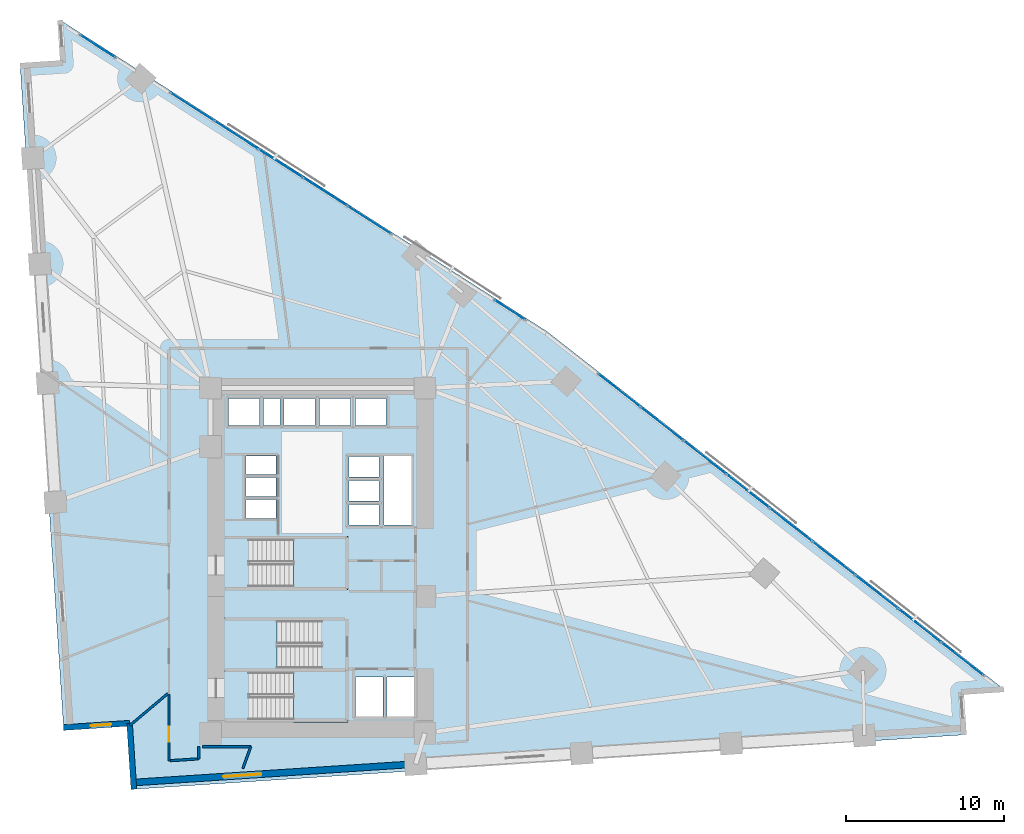
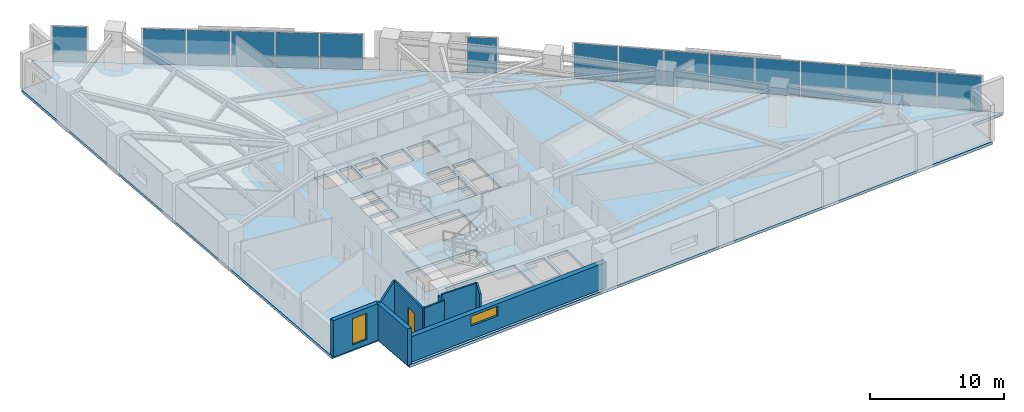
# One storey, part 11 of 16: 16 plates, 9 walls, 4 slabs, 2 windows, 1 door, 3 openings, 7 elements without a shape of their own.
"""IFC4 building model written with IfcOpenShell, lengths in metres."""

from ifc_helpers import new_model, si_unit, direction, frame, frame_2d, origin, origin_2d, place, context, subcontext, project, spatial, polyline, rectangle, outline, extrude, material, layer, layer_set, type_object, element, fill, aggregate, save


model = new_model("IFC4")

# Units and contexts
model_context = context("Model", 3, precision=1e-05, world=origin(), true_north=direction((0.0, 1.0)))
body_context = subcontext(model_context, "Body", "Model", "MODEL_VIEW")
ifc_project = project(units=[si_unit("LENGTHUNIT", "METRE"), si_unit("AREAUNIT", "SQUARE_METRE"), si_unit("VOLUMEUNIT", "CUBIC_METRE"), si_unit("PLANEANGLEUNIT", "RADIAN"), si_unit("MASSUNIT", "GRAM", prefix="KILO")], contexts=[model_context])

# Site, building, storey
site_placement = place(None, origin())
site = spatial("IfcSite", under=ifc_project, at=site_placement, CompositionType="ELEMENT")
building_placement = place(site_placement, origin())
building = spatial("IfcBuilding", under=site, at=building_placement, Name="Narakoshi Arena Tower", CompositionType="ELEMENT")
storey_placement = place(building_placement, frame((0.0, 0.0, 66.89990234375)))
storey = spatial("IfcBuildingStorey", under=building, at=storey_placement, Name="L17", CompositionType="ELEMENT", Elevation=66.89990234375)

# Curtain wall, plates
ifc_material_1 = material(Name="Anodised bronze aluminium 6063-T6", Category="aluminium")
curtain_wall_type = type_object("IfcCurtainWallType", Name="CW-HYP-LOW", PredefinedType="NOTDEFINED", material=ifc_material_1)
curtain_wall_1_placement = place(storey_placement, origin())
curtain_wall_1 = element("IfcCurtainWall", 1, at=curtain_wall_1_placement, inside=storey, type_object=curtain_wall_type, Name="L17 Folded Hypotenuse Curtain Wall 1-1", PredefinedType="NOTDEFINED")
ifc_material_2 = material(Name="Bronze-tinted low-E laminated glass", Category="glass")
ifc_layer_1 = layer(ifc_material_2, 0.031982421875)
ifc_layer_set_1 = layer_set([ifc_layer_1], Name="Bronze-tinted low-E laminated glass")
plate_type = type_object("IfcPlateType", Name="PLT-GLZ-32", PredefinedType="CURTAIN_PANEL", material=ifc_layer_set_1)
plate_1_placement = place(storey_placement, frame((119.491455078125, 39.385986328125, 0.065185546875), z_axis=(0.0, 0.0, 1.0), x_axis=(-0.787387607817, 0.616458234641, 0.0)))
plate_1 = element("IfcPlate", 2, at=plate_1_placement, type_object=plate_type, Name="CW-01 panel 1.1", PredefinedType="CURTAIN_PANEL", context=body_context, shape_type="SweptSolid", body=[
    extrude(rectangle(XDim=3.331298828125, YDim=0.031982421875, at=origin_2d()), origin(), (0.0, 0.0, 1.0), 3.2099609375),
])
plate_2_placement = place(storey_placement, frame((116.794677734375, 41.497314453125, 0.065185546875), z_axis=(0.0, 0.0, 1.0), x_axis=(-0.787387607817, 0.616458234641, 0.0)))
plate_2 = element("IfcPlate", 3, at=plate_2_placement, type_object=plate_type, Name="CW-01 panel 2.1", PredefinedType="CURTAIN_PANEL", context=body_context, shape_type="SweptSolid", body=[
    extrude(rectangle(XDim=3.36865234375, YDim=0.031982421875, at=origin_2d()), origin(), (0.0, 0.0, 1.0), 3.2099609375),
])
plate_3_placement = place(storey_placement, frame((114.083251953125, 43.620361328125, 0.065185546875), z_axis=(0.0, 0.0, 1.0), x_axis=(-0.787387607817, 0.616458234641, 0.0)))
plate_3 = element("IfcPlate", 4, at=plate_3_placement, type_object=plate_type, Name="CW-01 panel 3.1", PredefinedType="CURTAIN_PANEL", context=body_context, shape_type="SweptSolid", body=[
    extrude(rectangle(XDim=3.36865234375, YDim=0.031982421875, at=origin_2d()), origin(), (0.0, 0.0, 1.0), 3.2099609375),
])
plate_4_placement = place(storey_placement, frame((111.37158203125, 45.7431640625, 0.065185546875), z_axis=(0.0, 0.0, 1.0), x_axis=(-0.787387607817, 0.616458234641, 0.0)))
plate_4 = element("IfcPlate", 5, at=plate_4_placement, type_object=plate_type, Name="CW-01 panel 4.1", PredefinedType="CURTAIN_PANEL", context=body_context, shape_type="SweptSolid", body=[
    extrude(rectangle(XDim=3.36865234375, YDim=0.031982421875, at=origin_2d()), origin(), (0.0, 0.0, 1.0), 3.2099609375),
])
plate_5_placement = place(storey_placement, frame((108.66015625, 47.8662109375, 0.065185546875), z_axis=(0.0, 0.0, 1.0), x_axis=(-0.787387607817, 0.616458234641, 0.0)))
plate_5 = element("IfcPlate", 6, at=plate_5_placement, type_object=plate_type, Name="CW-01 panel 5.1", PredefinedType="CURTAIN_PANEL", context=body_context, shape_type="SweptSolid", body=[
    extrude(rectangle(XDim=3.36865234375, YDim=0.031982421875, at=origin_2d()), origin(), (0.0, 0.0, 1.0), 3.2099609375),
])
plate_6_placement = place(storey_placement, frame((105.948486328125, 49.989013671875, 0.065185546875), z_axis=(0.0, 0.0, 1.0), x_axis=(-0.787387607817, 0.616458234641, 0.0)))
plate_6 = element("IfcPlate", 7, at=plate_6_placement, type_object=plate_type, Name="CW-01 panel 6.1", PredefinedType="CURTAIN_PANEL", context=body_context, shape_type="SweptSolid", body=[
    extrude(rectangle(XDim=3.36865234375, YDim=0.031982421875, at=origin_2d()), origin(), (0.0, 0.0, 1.0), 3.2099609375),
])
plate_7_placement = place(storey_placement, frame((103.237060546875, 52.11181640625, 0.065185546875), z_axis=(0.0, 0.0, 1.0), x_axis=(-0.787387607817, 0.616458234641, 0.0)))
plate_7 = element("IfcPlate", 8, at=plate_7_placement, type_object=plate_type, Name="CW-01 panel 7.1", PredefinedType="CURTAIN_PANEL", context=body_context, shape_type="SweptSolid", body=[
    extrude(rectangle(XDim=3.36865234375, YDim=0.031982421875, at=origin_2d()), origin(), (0.0, 0.0, 1.0), 3.2099609375),
])
plate_8_placement = place(storey_placement, frame((100.525634765625, 54.23486328125, 0.065185546875), z_axis=(0.0, 0.0, 1.0), x_axis=(-0.787387607817, 0.616458234641, 0.0)))
plate_8 = element("IfcPlate", 9, at=plate_8_placement, type_object=plate_type, Name="CW-01 panel 8.1", PredefinedType="CURTAIN_PANEL", context=body_context, shape_type="SweptSolid", body=[
    extrude(rectangle(XDim=3.36865234375, YDim=0.031982421875, at=origin_2d()), origin(), (0.0, 0.0, 1.0), 3.2099609375),
])
plate_9_placement = place(storey_placement, frame((97.828857421875, 56.34619140625, 0.065185546875), z_axis=(0.0, 0.0, 1.0), x_axis=(-0.787387607817, 0.616458234641, 0.0)))
plate_9 = element("IfcPlate", 10, at=plate_9_placement, type_object=plate_type, Name="CW-01 panel 9.1", PredefinedType="CURTAIN_PANEL", context=body_context, shape_type="SweptSolid", body=[
    extrude(rectangle(XDim=3.331298828125, YDim=0.031982421875, at=origin_2d()), origin(), (0.0, 0.0, 1.0), 3.2099609375),
])
aggregate(curtain_wall_1, [plate_1, plate_2, plate_3, plate_4, plate_5, plate_6, plate_7, plate_8, plate_9])

# Curtain wall, plate
curtain_wall_2_placement = place(storey_placement, origin())
curtain_wall_2 = element("IfcCurtainWall", 11, at=curtain_wall_2_placement, inside=storey, type_object=curtain_wall_type, Name="L17 Folded Hypotenuse Curtain Wall 2-1", PredefinedType="NOTDEFINED")
plate_10_placement = place(storey_placement, frame((90.921142578125, 61.4287109375, 0.065185546875), z_axis=(0.0, 0.0, 1.0), x_axis=(-0.842419407448, 0.538822365864, 0.0)))
plate_10 = element("IfcPlate", 12, at=plate_10_placement, type_object=plate_type, Name="CW-01 panel 1.1", PredefinedType="CURTAIN_PANEL", context=body_context, shape_type="SweptSolid", body=[
    extrude(rectangle(XDim=2.25439453125, YDim=0.031982421875, at=origin_2d()), origin(), (0.0, 0.0, 1.0), 3.2099609375),
])
aggregate(curtain_wall_2, [plate_10])

# Curtain wall, plates
curtain_wall_3_placement = place(storey_placement, origin())
curtain_wall_3 = element("IfcCurtainWall", 13, at=curtain_wall_3_placement, inside=storey, type_object=curtain_wall_type, Name="L17 Folded Hypotenuse Curtain Wall 2-2", PredefinedType="NOTDEFINED")
plate_11_placement = place(storey_placement, frame((82.033447265625, 67.113525390625, 0.065185546875), z_axis=(0.0, 0.0, 1.0), x_axis=(-0.842415100992, 0.538829098714, 0.0)))
plate_11 = element("IfcPlate", 14, at=plate_11_placement, type_object=plate_type, Name="CW-01 panel 1.1", PredefinedType="CURTAIN_PANEL", context=body_context, shape_type="SweptSolid", body=[
    extrude(rectangle(XDim=3.2158203125, YDim=0.031982421875, at=origin_2d()), origin(), (0.0, 0.0, 1.0), 3.2099609375),
])
plate_12_placement = place(storey_placement, frame((79.24560546875, 68.896728515625, 0.065185546875), z_axis=(0.0, 0.0, 1.0), x_axis=(-0.842415100992, 0.538829098714, 0.0)))
plate_12 = element("IfcPlate", 15, at=plate_12_placement, type_object=plate_type, Name="CW-01 panel 2.1", PredefinedType="CURTAIN_PANEL", context=body_context, shape_type="SweptSolid", body=[
    extrude(rectangle(XDim=3.253173828125, YDim=0.031982421875, at=origin_2d()), origin(), (0.0, 0.0, 1.0), 3.2099609375),
])
plate_13_placement = place(storey_placement, frame((76.441650390625, 70.690185546875, 0.065185546875), z_axis=(0.0, 0.0, 1.0), x_axis=(-0.842415100992, 0.538829098714, 0.0)))
plate_13 = element("IfcPlate", 16, at=plate_13_placement, type_object=plate_type, Name="CW-01 panel 3.1", PredefinedType="CURTAIN_PANEL", context=body_context, shape_type="SweptSolid", body=[
    extrude(rectangle(XDim=3.253173828125, YDim=0.031982421875, at=origin_2d()), origin(), (0.0, 0.0, 1.0), 3.2099609375),
])
plate_14_placement = place(storey_placement, frame((73.637939453125, 72.4833984375, 0.065185546875), z_axis=(0.0, 0.0, 1.0), x_axis=(-0.842415100992, 0.538829098714, 0.0)))
plate_14 = element("IfcPlate", 17, at=plate_14_placement, type_object=plate_type, Name="CW-01 panel 4.1", PredefinedType="CURTAIN_PANEL", context=body_context, shape_type="SweptSolid", body=[
    extrude(rectangle(XDim=3.253173828125, YDim=0.031982421875, at=origin_2d()), origin(), (0.0, 0.0, 1.0), 3.2099609375),
])
plate_15_placement = place(storey_placement, frame((70.85009765625, 74.266845703125, 0.065185546875), z_axis=(0.0, 0.0, 1.0), x_axis=(-0.842415100992, 0.538829098714, 0.0)))
plate_15 = element("IfcPlate", 18, at=plate_15_placement, type_object=plate_type, Name="CW-01 panel 5.1", PredefinedType="CURTAIN_PANEL", context=body_context, shape_type="SweptSolid", body=[
    extrude(rectangle(XDim=3.2158203125, YDim=0.031982421875, at=origin_2d()), origin(), (0.0, 0.0, 1.0), 3.2099609375),
])
aggregate(curtain_wall_3, [plate_11, plate_12, plate_13, plate_14, plate_15])

# Curtain wall, plate
curtain_wall_4_placement = place(storey_placement, origin())
curtain_wall_4 = element("IfcCurtainWall", 19, at=curtain_wall_4_placement, inside=storey, type_object=curtain_wall_type, Name="L17 Folded Hypotenuse Curtain Wall 2-3", PredefinedType="NOTDEFINED")
plate_16_placement = place(storey_placement, frame((64.867919921875, 78.093017578125, 0.065185546875), z_axis=(0.0, 0.0, 1.0), x_axis=(-0.842407418791, 0.538841109017, 0.0)))
plate_16 = element("IfcPlate", 20, at=plate_16_placement, type_object=plate_type, Name="CW-01 panel 1.1", PredefinedType="CURTAIN_PANEL", context=body_context, shape_type="SweptSolid", body=[
    extrude(rectangle(XDim=2.60009765625, YDim=0.031982421875, at=origin_2d()), origin(), (0.0, 0.0, 1.0), 3.2099609375),
])
aggregate(curtain_wall_4, [plate_16])

# Stair, slab
ifc_material_3 = material(Name="Concrete C45/55", Category="concrete")
stair_type = type_object("IfcStairType", Name="STR-CORE-360", PredefinedType="TWO_STRAIGHT_RUN_STAIR", material=ifc_material_3)
stair_1_placement = place(storey_placement, origin())
stair_1 = element("IfcStair", 21, at=stair_1_placement, inside=storey, type_object=stair_type, Name="L17 Core Escape Stair ST1", PredefinedType="TWO_STRAIGHT_RUN_STAIR")
ifc_layer_2 = layer(ifc_material_3, 0.18994140625)
ifc_layer_set_2 = layer_set([ifc_layer_2], Name="Concrete C45/55")
slab_type_1 = type_object("IfcSlabType", Name="SLB-LND-190", PredefinedType="LANDING", material=ifc_layer_set_2)
slab_1_placement = place(storey_placement, frame((0.0, 0.0, 1.610107421875)))
slab_1 = element("IfcSlab", 22, at=slab_1_placement, type_object=slab_type_1, Name="ST1 landing 1", PredefinedType="LANDING", context=body_context, shape_type="SweptSolid", body=[
    extrude(outline(polyline([(77.25, 35.3701171875), (80.679931640625, 35.3701171875), (80.679931640625, 38.72998046875), (77.25, 38.72998046875), (77.25, 35.3701171875)])), origin(), (0.0, 0.0, 1.0), 0.18994140625),
])
aggregate(stair_1, [slab_1])

stair_2_placement = place(storey_placement, origin())
stair_2 = element("IfcStair", 23, at=stair_2_placement, inside=storey, type_object=stair_type, Name="L17 Core Escape Stair ST2", PredefinedType="TWO_STRAIGHT_RUN_STAIR")
slab_2_placement = place(storey_placement, frame((0.0, 0.0, 1.610107421875)))
slab_2 = element("IfcSlab", 24, at=slab_2_placement, type_object=slab_type_1, Name="ST2 landing 1", PredefinedType="LANDING", context=body_context, shape_type="SweptSolid", body=[
    extrude(outline(polyline([(72.77001953125, 38.6201171875), (76.199951171875, 38.6201171875), (76.199951171875, 41.97998046875), (72.77001953125, 41.97998046875), (72.77001953125, 38.6201171875)])), origin(), (0.0, 0.0, 1.0), 0.18994140625),
])
aggregate(stair_2, [slab_2])

stair_3_placement = place(storey_placement, origin())
stair_3 = element("IfcStair", 25, at=stair_3_placement, inside=storey, type_object=stair_type, Name="L17 Core Escape Stair ST3", PredefinedType="TWO_STRAIGHT_RUN_STAIR")
slab_3_placement = place(storey_placement, frame((0.0, 0.0, 1.610107421875)))
slab_3 = element("IfcSlab", 26, at=slab_3_placement, type_object=slab_type_1, Name="ST3 landing 1", PredefinedType="LANDING", context=body_context, shape_type="SweptSolid", body=[
    extrude(outline(polyline([(77.25, 43.77001953125), (80.679931640625, 43.77001953125), (80.679931640625, 47.1298828125), (77.25, 47.1298828125), (77.25, 43.77001953125)])), origin(), (0.0, 0.0, 1.0), 0.18994140625),
])
aggregate(stair_3, [slab_3])

# Slab
ifc_material_4 = material(Name="Concrete C50/60", Category="concrete")
ifc_layer_3 = layer(ifc_material_4, 0.260009765625)
ifc_layer_set_3 = layer_set([ifc_layer_3], Name="Concrete C50/60")
slab_type_2 = type_object("IfcSlabType", Name="SLB-SKY-260", PredefinedType="FLOOR", material=ifc_layer_set_3)
slab_4_placement = place(storey_placement, frame((0.0, 0.0, -0.260009765625)))
element("IfcSlab", 27, at=slab_4_placement, inside=storey, type_object=slab_type_2, Name="L17 Structural Floor Slab", PredefinedType="FLOOR", context=body_context, shape_type="SweptSolid", body=[
    extrude(outline(polyline([(67.160888671875, 31.15869140625), (119.58447265625, 34.594482421875), (119.40673828125, 37.30517578125), (122.1171875, 37.48291015625), (93.26220703125, 60.07373046875), (62.5107421875, 79.743408203125), (62.688232421875, 77.03271484375), (59.977783203125, 76.85498046875), (62.717529296875, 35.055419921875), (66.887451171875, 35.32861328125), (67.160888671875, 31.15869140625)]), holes=[polyline([(74.47998046875, 35.550048828125), (74.47998046875, 38.550048828125), (80.5, 38.550048828125), (80.5, 35.550048828125), (74.47998046875, 35.550048828125)]), polyline([(81.14990234375, 35.75), (81.14990234375, 38.25), (82.89990234375, 38.25), (82.89990234375, 35.75), (81.14990234375, 35.75)]), polyline([(83.14990234375, 35.75), (83.14990234375, 38.25), (84.89990234375, 38.25), (84.89990234375, 35.75), (83.14990234375, 35.75)]), polyline([(72.949951171875, 38.800048828125), (72.949951171875, 41.800048828125), (78.969970703125, 41.800048828125), (78.969970703125, 38.800048828125), (72.949951171875, 38.800048828125)]), polyline([(74.47998046875, 43.949951171875), (74.47998046875, 46.949951171875), (80.5, 46.949951171875), (80.5, 43.949951171875), (74.47998046875, 43.949951171875)]), polyline([(82.949951171875, 47.840087890625), (82.949951171875, 52.199951171875), (84.699951171875, 52.199951171875), (84.699951171875, 47.840087890625), (82.949951171875, 47.840087890625)]), polyline([(80.75, 47.85009765625), (80.75, 49.14990234375), (82.64990234375, 49.14990234375), (82.64990234375, 47.85009765625), (80.75, 47.85009765625)]), polyline([(74.25, 48.25), (74.25, 49.449951171875), (76.14990234375, 49.449951171875), (76.14990234375, 48.25), (74.25, 48.25)]), polyline([(80.75, 49.3701171875), (80.75, 50.669921875), (82.64990234375, 50.669921875), (82.64990234375, 49.3701171875), (80.75, 49.3701171875)]), polyline([(74.25, 49.64990234375), (74.25, 50.85009765625), (76.14990234375, 50.85009765625), (76.14990234375, 49.64990234375), (74.25, 49.64990234375)]), polyline([(80.75, 50.889892578125), (80.75, 52.18994140625), (82.64990234375, 52.18994140625), (82.64990234375, 50.889892578125), (80.75, 50.889892578125)]), polyline([(74.25, 51.050048828125), (74.25, 52.2099609375), (76.14990234375, 52.2099609375), (76.14990234375, 51.050048828125), (74.25, 51.050048828125)]), polyline([(73.14990234375, 54.14990234375), (73.14990234375, 55.85009765625), (75.10009765625, 55.85009765625), (75.10009765625, 54.14990234375), (73.14990234375, 54.14990234375)]), polyline([(75.35009765625, 54.14990234375), (75.35009765625, 55.85009765625), (76.39990234375, 55.85009765625), (76.39990234375, 54.14990234375), (75.35009765625, 54.14990234375)]), polyline([(76.64990234375, 54.14990234375), (76.64990234375, 55.85009765625), (78.60009765625, 55.85009765625), (78.60009765625, 54.14990234375), (76.64990234375, 54.14990234375)]), polyline([(78.89990234375, 55.85009765625), (80.85009765625, 55.85009765625), (80.85009765625, 54.14990234375), (78.89990234375, 54.14990234375), (78.89990234375, 55.85009765625)]), polyline([(81.14990234375, 55.85009765625), (83.10009765625, 55.85009765625), (83.10009765625, 54.14990234375), (81.14990234375, 54.14990234375), (81.14990234375, 55.85009765625)])]), origin(), (0.0, 0.0, 1.0), 0.260009765625),
])

# Wall, opening, window
ifc_material_5 = material(Name="Precast concrete C45/55", Category="concrete")
ifc_layer_4 = layer(ifc_material_5, 0.419921875)
ifc_layer_set_4 = layer_set([ifc_layer_4], Name="Precast concrete C45/55")
wall_type_1 = type_object("IfcWallType", Name="WL-POD-420", PredefinedType="SOLIDWALL", material=ifc_layer_set_4)
wall_1_placement = place(storey_placement, frame((67.133056640625, 31.582763671875, 0.0), z_axis=(0.0, 0.0, 1.0), x_axis=(0.997859040617, 0.065401338356, 0.0)))
wall_1 = element("IfcWall", 28, at=wall_1_placement, inside=storey, type_object=wall_type_1, Name="L17 Architectural Concrete Facade Wall LEGA-1", PredefinedType="SOLIDWALL", context=body_context, shape_type="SweptSolid", body=[
    extrude(rectangle(XDim=17.8623046875, YDim=0.419921875, at=frame_2d((8.93115234375, 0.0))), origin(), (0.0, 0.0, 1.0), 2.3251953125),
])
opening_1_placement = place(wall_1_placement, frame((5.699951171875, 0.0, 1.199951171875)))
opening_1 = element("IfcOpeningElement", 29, at=opening_1_placement, cuts=wall_1, Name="Opening WN-01", PredefinedType="OPENING", context=body_context, shape_type="SweptSolid", body=[
    extrude(rectangle(XDim=2.39990234375, YDim=0.89990234375, at=frame_2d((1.199951171875, 0.449951171875))), frame((0.0, 0.219970703125, 0.0), z_axis=(0.0, -1.0, 0.0), x_axis=(1.0, 0.0, 0.0)), (0.0, 0.0, 1.0), 0.43994140625),
])
window_type_1 = type_object("IfcWindowType", Name="WIN-SLT-24x09", PartitioningType="SINGLE_PANEL", PredefinedType="WINDOW", material=ifc_material_2)
window_1_placement = place(opening_1_placement, origin())
window_1 = element("IfcWindow", 30, at=window_1_placement, inside=storey, type_object=window_type_1, Name="L17 LEGA1 Horizontal Slot Window 1", OverallHeight=0.89990234375, OverallWidth=2.39990234375, PartitioningType="SINGLE_PANEL", PredefinedType="WINDOW", context=body_context, shape_type="SweptSolid", body=[
    extrude(rectangle(XDim=2.39990234375, YDim=0.89990234375, at=frame_2d((1.199951171875, 0.449951171875))), frame((0.0, 0.030029296875, 0.0), z_axis=(0.0, -1.0, 0.0), x_axis=(1.0, 0.0, 0.0)), (0.0, 0.0, 1.0), 0.06005859375),
])
fill(opening_1, window_1)

wall_2_placement = place(storey_placement, frame((62.717529296875, 35.055419921875, 0.0), z_axis=(0.0, 0.0, 1.0), x_axis=(0.997860761953, 0.065375069826, 0.0)))
wall_2 = element("IfcWall", 31, at=wall_2_placement, inside=storey, type_object=wall_type_1, Name="L17 Re-Entrant Corner Notch Wall NTA-1", PredefinedType="SOLIDWALL", context=body_context, shape_type="SweptSolid", body=[
    extrude(rectangle(XDim=4.178955078125, YDim=0.360107421875, at=frame_2d((2.08935546875, 0.0))), origin(), (0.0, 0.0, 1.0), 3.340087890625),
])
opening_2_placement = place(wall_2_placement, frame((1.71435546875, 0.0, 0.449951171875)))
opening_2 = element("IfcOpeningElement", 32, at=opening_2_placement, cuts=wall_2, Name="Opening WN-06", PredefinedType="OPENING", context=body_context, shape_type="SweptSolid", body=[
    extrude(rectangle(XDim=1.300048828125, YDim=2.39990234375, at=frame_2d((0.64990234375, 1.199951171875))), frame((0.0, 0.18994140625, 0.0), z_axis=(0.0, -1.0, 0.0), x_axis=(1.0, 0.0, 0.0)), (0.0, 0.0, 1.0), 0.380126953125),
])
window_type_2 = type_object("IfcWindowType", Name="WIN-NTC-16x24", PartitioningType="SINGLE_PANEL", PredefinedType="WINDOW", material=ifc_material_2)
window_2_placement = place(opening_2_placement, origin())
window_2 = element("IfcWindow", 33, at=window_2_placement, inside=storey, type_object=window_type_2, Name="L17 Corner Notch Window NTA", OverallHeight=2.39990234375, OverallWidth=1.300048828125, PartitioningType="SINGLE_PANEL", PredefinedType="WINDOW", context=body_context, shape_type="SweptSolid", body=[
    extrude(rectangle(XDim=1.300048828125, YDim=2.39990234375, at=frame_2d((0.64990234375, 1.199951171875))), frame((0.0, 0.030029296875, 0.0), z_axis=(0.0, -1.0, 0.0), x_axis=(1.0, 0.0, 0.0)), (0.0, 0.0, 1.0), 0.06005859375),
])
fill(opening_2, window_2)

# Walls
wall_3_placement = place(storey_placement, frame((66.887451171875, 35.32861328125, 0.0), z_axis=(0.0, 0.0, 1.0), x_axis=(0.065433242561, -0.99785694905, 0.0)))
element("IfcWall", 34, at=wall_3_placement, inside=storey, type_object=wall_type_1, Name="L17 Re-Entrant Corner Notch Wall NTA-2", PredefinedType="SOLIDWALL", context=body_context, shape_type="SweptSolid", body=[
    extrude(rectangle(XDim=4.178955078125, YDim=0.360107421875, at=frame_2d((2.08935546875, 0.0))), origin(), (0.0, 0.0, 1.0), 3.340087890625),
])
ifc_material_6 = material(Name="Moisture-resistant cement-board partition")
ifc_layer_5 = layer(ifc_material_6, 0.14501953125)
ifc_layer_set_5 = layer_set([ifc_layer_5], Name="Moisture-resistant cement-board partition")
wall_type_2 = type_object("IfcWallType", Name="WL-WET-145", PredefinedType="PARTITIONING", material=ifc_layer_set_5)
wall_4_placement = place(storey_placement, frame((69.318603515625, 37.2158203125, 0.0), z_axis=(0.0, 0.0, 1.0), x_axis=(-0.765481312185, -0.643458126607, 0.0)))
element("IfcWall", 35, at=wall_4_placement, inside=storey, type_object=wall_type_2, Name="L17 Inter-Room Partition 02-03", PredefinedType="PARTITIONING", context=body_context, shape_type="SweptSolid", body=[
    extrude(rectangle(XDim=3.163330078125, YDim=0.14501953125, at=frame_2d((1.58154296875, 0.0))), origin(), (0.0, 0.0, 1.0), 3.340087890625),
])

# Wall, opening, door
wall_5_placement = place(storey_placement, frame((69.3798828125, 37.154296875, 0.0), z_axis=(0.0, 0.0, 1.0), x_axis=(0.0, -1.0, 0.0)))
wall_5 = element("IfcWall", 36, at=wall_5_placement, inside=storey, type_object=wall_type_2, Name="L17 Corridor Partition 03-1", PredefinedType="PARTITIONING", context=body_context, shape_type="SweptSolid", body=[
    extrude(rectangle(XDim=4.19677734375, YDim=0.14501953125, at=frame_2d((2.098388671875, 0.0))), origin(), (0.0, 0.0, 1.0), 3.340087890625),
])
opening_3_placement = place(wall_5_placement, frame((2.05029296875, 0.0, 0.0)))
opening_3 = element("IfcOpeningElement", 37, at=opening_3_placement, cuts=wall_5, Name="Opening D-07", PredefinedType="OPENING", context=body_context, shape_type="SweptSolid", body=[
    extrude(rectangle(XDim=0.949951171875, YDim=2.14990234375, at=frame_2d((0.47509765625, 1.074951171875))), frame((0.0, 0.08251953125, 0.0), z_axis=(0.0, -1.0, 0.0), x_axis=(1.0, 0.0, 0.0)), (0.0, 0.0, 1.0), 0.1650390625),
])
ifc_material_7 = material(Name="Stained oak solid-core timber", Category="wood")
door_type = type_object("IfcDoorType", Name="DR-ACC-950", OperationType="NOTDEFINED", PredefinedType="DOOR", material=ifc_material_7)
door_placement = place(opening_3_placement, frame((0.949951171875, 0.0, 0.0), z_axis=(0.0, 0.0, 1.0), x_axis=(-1.0, 0.0, 0.0)))
door = element("IfcDoor", 38, at=door_placement, inside=storey, type_object=door_type, Name="DR-L17-016", OperationType="SINGLE_SWING_LEFT", OverallHeight=2.14990234375, OverallWidth=0.949951171875, PredefinedType="DOOR", context=body_context, shape_type="SweptSolid", body=[
    extrude(rectangle(XDim=0.949951171875, YDim=2.14990234375, at=frame_2d((0.47509765625, 1.074951171875))), frame((0.0, 0.02490234375, 0.0), z_axis=(0.0, -1.0, 0.0), x_axis=(1.0, 0.0, 0.0)), (0.0, 0.0, 1.0), 0.050048828125),
])
fill(opening_3, door)

# Walls
wall_6_placement = place(storey_placement, frame((69.464599609375, 32.963134765625, 0.0), z_axis=(0.0, 0.0, 1.0), x_axis=(0.997861766106, 0.065359741004, 0.0)))
element("IfcWall", 39, at=wall_6_placement, inside=storey, type_object=wall_type_2, Name="L17 Corridor Partition 03-2", PredefinedType="PARTITIONING", context=body_context, shape_type="SweptSolid", body=[
    extrude(rectangle(XDim=1.789306640625, YDim=0.14501953125, at=frame_2d((0.89453125, 0.0))), origin(), (0.0, 0.0, 1.0), 3.340087890625),
])
wall_7_placement = place(storey_placement, frame((71.25, 33.080078125, 0.0), z_axis=(0.0, 0.0, 1.0), x_axis=(0.0, 1.0, 0.0)))
element("IfcWall", 40, at=wall_7_placement, inside=storey, type_object=wall_type_2, Name="L17 Corridor Partition 03-3", PredefinedType="PARTITIONING", context=body_context, shape_type="SweptSolid", body=[
    extrude(rectangle(XDim=0.77001953125, YDim=0.14501953125, at=frame_2d((0.385009765625, 0.0))), origin(), (0.0, 0.0, 1.0), 3.340087890625),
])
wall_8_placement = place(storey_placement, frame((71.482421875, 33.85009765625, 0.0), z_axis=(0.0, 0.0, 1.0), x_axis=(1.0, 0.0, 0.0)))
element("IfcWall", 41, at=wall_8_placement, inside=storey, type_object=wall_type_2, Name="L17 Room Enclosure Partition 03-1", PredefinedType="PARTITIONING", context=body_context, shape_type="SweptSolid", body=[
    extrude(rectangle(XDim=3.06298828125, YDim=0.14501953125, at=frame_2d((1.531494140625, 0.0))), origin(), (0.0, 0.0, 1.0), 3.340087890625),
])
wall_9_placement = place(storey_placement, frame((74.54541015625, 33.85009765625, 0.0), z_axis=(0.0, 0.0, 1.0), x_axis=(-0.339636305396, -0.940556845734, 0.0)))
element("IfcWall", 42, at=wall_9_placement, inside=storey, type_object=wall_type_2, Name="L17 Room Enclosure Partition 03-2", PredefinedType="PARTITIONING", context=body_context, shape_type="SweptSolid", body=[
    extrude(rectangle(XDim=1.470703125, YDim=0.14501953125, at=frame_2d((0.7353515625, 0.0))), origin(), (0.0, 0.0, 1.0), 3.340087890625),
])

save(model, "model.ifc")
